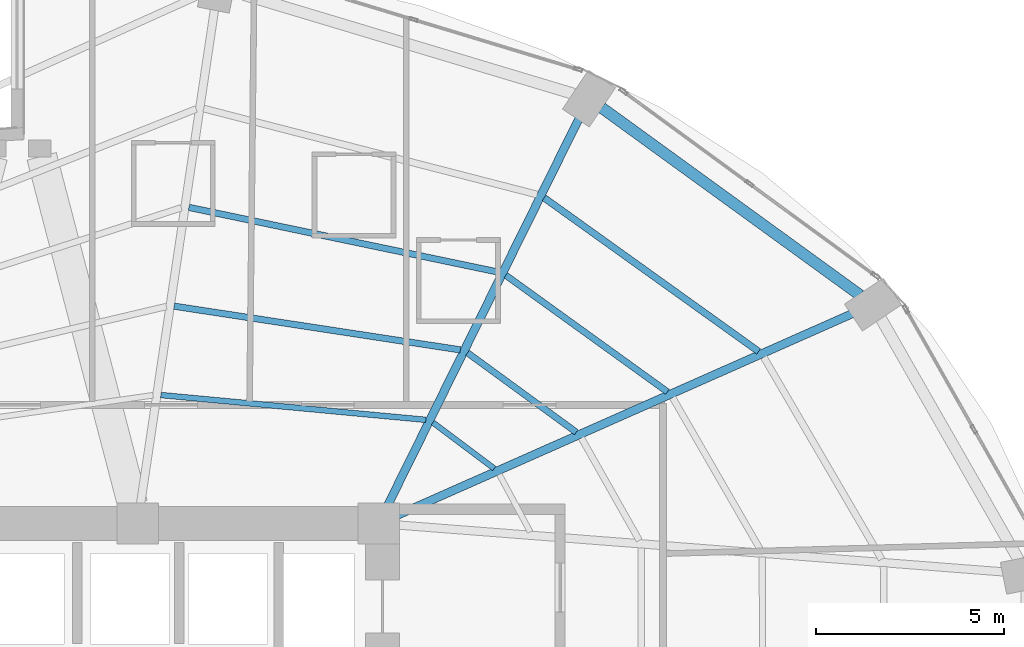
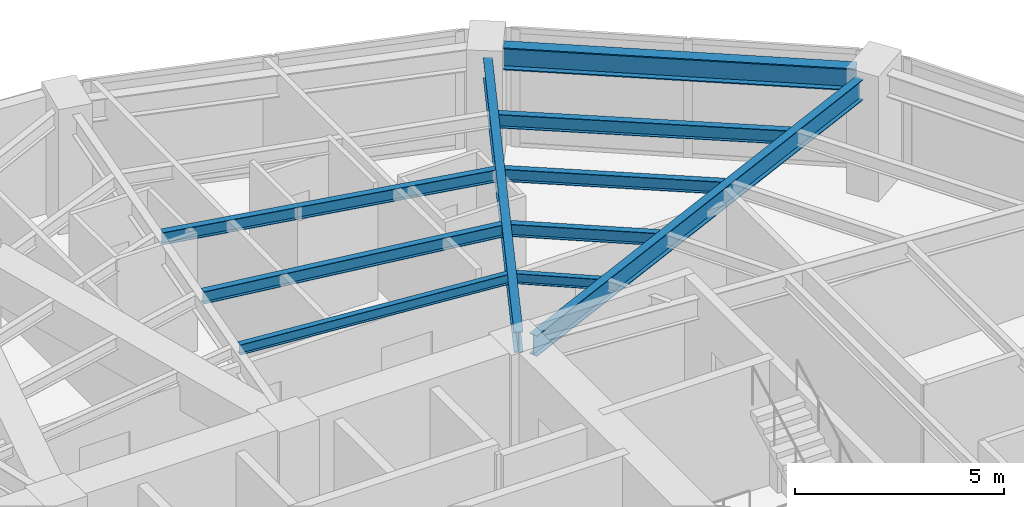
# One storey, part 16 of 25: 10 beams.
"""IFC4 building model written with IfcOpenShell, lengths in metres."""

from ifc_helpers import new_model, si_unit, direction, frame, origin, origin_2d, place, context, subcontext, project, spatial, i_section, extrude, material, material_profile, profile_set, type_object, element, save


model = new_model("IFC4")

# Units and contexts
model_context = context("Model", 3, precision=1e-05, world=origin(), true_north=direction((0.0, 1.0)))
body_context = subcontext(model_context, "Body", "Model", "MODEL_VIEW")
ifc_project = project(units=[si_unit("LENGTHUNIT", "METRE"), si_unit("AREAUNIT", "SQUARE_METRE"), si_unit("VOLUMEUNIT", "CUBIC_METRE"), si_unit("PLANEANGLEUNIT", "RADIAN"), si_unit("MASSUNIT", "GRAM", prefix="KILO")], contexts=[model_context])

# Site, building, storey
site_placement = place(None, origin())
site = spatial("IfcSite", under=ifc_project, at=site_placement, CompositionType="ELEMENT")
building_placement = place(site_placement, origin())
building = spatial("IfcBuilding", under=site, at=building_placement, Name="Lazwardi Medical Tower", CompositionType="ELEMENT")
storey_placement = place(building_placement, frame((0.0, 0.0, 28.847900390625)))
storey = spatial("IfcBuildingStorey", under=building, at=storey_placement, Name="L06", CompositionType="ELEMENT", Elevation=28.847900390625)

# Beams
ifc_material = material(Name="Steel S355", Category="steel")
ifc_material_profile_1 = material_profile(ifc_material, i_section(OverallWidth=0.300048828125, OverallDepth=0.64990234375, WebThickness=0.01611328125, FlangeThickness=0.031005859375, at=origin_2d()), Name="HEB 650")
ifc_profile_set_1 = profile_set([ifc_material_profile_1], Name="Steel S355")
beam_type_1 = type_object("IfcBeamType", Name="BM-RB-Z1", PredefinedType="BEAM", material=ifc_profile_set_1)
beam_1_placement = place(storey_placement, frame((58.3798828125, 41.660888671875, 3.10302734375), z_axis=(-0.809407079515, 0.587247971159, 0.0), x_axis=(-0.587247971159, -0.809407079515, 0.0)))
element("IfcBeam", 1, at=beam_1_placement, inside=storey, type_object=beam_type_1, Name="Ring beam RB-02 B06 L06", PredefinedType="BEAM", context=body_context, shape_type="SweptSolid", body=[
    extrude(i_section(OverallWidth=0.300048828125, OverallDepth=0.64990234375, WebThickness=0.01611328125, FlangeThickness=0.031005859375, at=origin_2d()), origin(), (0.0, 0.0, 1.0), 8.473876953125),
])
ifc_material_profile_2 = material_profile(ifc_material, i_section(OverallWidth=0.219970703125, OverallDepth=0.60009765625, WebThickness=0.011962890625, FlangeThickness=0.01904296875, at=origin_2d()), Name="IPE 600")
ifc_profile_set_2 = profile_set([ifc_material_profile_2], Name="Steel S355")
beam_type_2 = type_object("IfcBeamType", Name="BM-RG-W1", PredefinedType="BEAM", material=ifc_profile_set_2)
beam_2_placement = place(storey_placement, frame((58.189697265625, 41.17919921875, 3.128173828125), z_axis=(-0.914252189566, -0.405145571214, 0.0), x_axis=(0.405145571214, -0.914252189566, 0.0)))
element("IfcBeam", 2, at=beam_2_placement, inside=storey, type_object=beam_type_2, Name="Radial girder RG-02 R06 L06", PredefinedType="BEAM", context=body_context, shape_type="SweptSolid", body=[
    extrude(i_section(OverallWidth=0.219970703125, OverallDepth=0.60009765625, WebThickness=0.011962890625, FlangeThickness=0.01904296875, at=origin_2d()), origin(), (0.0, 0.0, 1.0), 13.235595703125),
])
beam_3_placement = place(storey_placement, frame((50.923828125, 46.364013671875, 3.128173828125), z_axis=(-0.443336723706, -0.896355146922, 0.0), x_axis=(0.896355146922, -0.443336723706, 0.0)))
element("IfcBeam", 3, at=beam_3_placement, inside=storey, type_object=beam_type_2, Name="Radial girder RG-02 R07 L06", PredefinedType="BEAM", context=body_context, shape_type="SweptSolid", body=[
    extrude(i_section(OverallWidth=0.219970703125, OverallDepth=0.60009765625, WebThickness=0.011962890625, FlangeThickness=0.01904296875, at=origin_2d()), origin(), (0.0, 0.0, 1.0), 11.4736328125),
])
ifc_material_profile_3 = material_profile(ifc_material, i_section(OverallWidth=0.179931640625, OverallDepth=0.39990234375, WebThickness=0.008544921875, FlangeThickness=0.013427734375, at=origin_2d()), Name="IPE 400")
ifc_profile_set_3 = profile_set([ifc_material_profile_3], Name="Steel S355")
beam_type_3 = type_object("IfcBeamType", Name="BM-SJ-01", PredefinedType="JOIST", material=ifc_profile_set_3)
beam_4_placement = place(storey_placement, frame((55.68408203125, 40.16796875, 3.22802734375), z_axis=(-0.812901036873, 0.582401840872, 0.0), x_axis=(-0.582401840872, -0.812901036873, 0.0)))
element("IfcBeam", 4, at=beam_4_placement, inside=storey, type_object=beam_type_3, Name="Secondary joist SJ-01 R1 B06 L06", PredefinedType="JOIST", context=body_context, shape_type="SweptSolid", body=[
    extrude(i_section(OverallWidth=0.179931640625, OverallDepth=0.39990234375, WebThickness=0.008544921875, FlangeThickness=0.013427734375, at=origin_2d()), origin(), (0.0, 0.0, 1.0), 7.002197265625),
])
ifc_material_profile_4 = material_profile(ifc_material, i_section(OverallWidth=0.169921875, OverallDepth=0.360107421875, WebThickness=0.008056640625, FlangeThickness=0.0126953125, at=origin_2d()), Name="IPE 360")
ifc_profile_set_4 = profile_set([ifc_material_profile_4], Name="Steel S355")
beam_type_4 = type_object("IfcBeamType", Name="BM-SJ-02", PredefinedType="JOIST", material=ifc_profile_set_4)
beam_5_placement = place(storey_placement, frame((53.26416015625, 39.095703125, 3.248046875), z_axis=(-0.811142764961, 0.584848198127, 0.0), x_axis=(-0.584848198127, -0.811142764961, 0.0)))
element("IfcBeam", 5, at=beam_5_placement, inside=storey, type_object=beam_type_4, Name="Secondary joist SJ-02 R2 B06 L06", PredefinedType="JOIST", context=body_context, shape_type="SweptSolid", body=[
    extrude(i_section(OverallWidth=0.169921875, OverallDepth=0.360107421875, WebThickness=0.008056640625, FlangeThickness=0.0126953125, at=origin_2d()), origin(), (0.0, 0.0, 1.0), 5.28857421875),
])
beam_6_placement = place(storey_placement, frame((48.786376953125, 42.271728515625, 3.248046875), z_axis=(-0.978809182847, 0.204774470026, 0.0), x_axis=(-0.204774470026, -0.978809182847, 0.0)))
element("IfcBeam", 6, at=beam_6_placement, inside=storey, type_object=beam_type_4, Name="Secondary joist SJ-02 R2 B07 L06", PredefinedType="JOIST", context=body_context, shape_type="SweptSolid", body=[
    extrude(i_section(OverallWidth=0.169921875, OverallDepth=0.360107421875, WebThickness=0.008056640625, FlangeThickness=0.0126953125, at=origin_2d()), origin(), (0.0, 0.0, 1.0), 8.40283203125),
])
beam_7_placement = place(storey_placement, frame((50.844482421875, 38.023681640625, 3.248046875), z_axis=(-0.80770129933, 0.589591902132, 0.0), x_axis=(-0.589591902132, -0.80770129933, 0.0)))
element("IfcBeam", 7, at=beam_7_placement, inside=storey, type_object=beam_type_4, Name="Secondary joist SJ-02 R3 B06 L06", PredefinedType="JOIST", context=body_context, shape_type="SweptSolid", body=[
    extrude(i_section(OverallWidth=0.169921875, OverallDepth=0.360107421875, WebThickness=0.008056640625, FlangeThickness=0.0126953125, at=origin_2d()), origin(), (0.0, 0.0, 1.0), 3.5751953125),
])
beam_8_placement = place(storey_placement, frame((47.76806640625, 40.209228515625, 3.248046875), z_axis=(-0.988535611365, 0.150987897074, 0.0), x_axis=(-0.150987897074, -0.988535611365, 0.0)))
element("IfcBeam", 8, at=beam_8_placement, inside=storey, type_object=beam_type_4, Name="Secondary joist SJ-02 R3 B07 L06", PredefinedType="JOIST", context=body_context, shape_type="SweptSolid", body=[
    extrude(i_section(OverallWidth=0.169921875, OverallDepth=0.360107421875, WebThickness=0.008056640625, FlangeThickness=0.0126953125, at=origin_2d()), origin(), (0.0, 0.0, 1.0), 7.68701171875),
])
ifc_material_profile_5 = material_profile(ifc_material, i_section(OverallWidth=0.14990234375, OverallDepth=0.300048828125, WebThickness=0.007080078125, FlangeThickness=0.0107421875, at=origin_2d()), Name="IPE 300")
ifc_profile_set_5 = profile_set([ifc_material_profile_5], Name="Steel S355")
beam_type_5 = type_object("IfcBeamType", Name="BM-SJ-03", PredefinedType="JOIST", material=ifc_profile_set_5)
beam_9_placement = place(storey_placement, frame((48.667236328125, 37.0595703125, 3.278076171875), z_axis=(-0.800115247939, 0.599846305328, 0.0), x_axis=(-0.599846305328, -0.800115247939, 0.0)))
element("IfcBeam", 9, at=beam_9_placement, inside=storey, type_object=beam_type_5, Name="Secondary joist SJ-03 R4 B06 L06", PredefinedType="JOIST", context=body_context, shape_type="SweptSolid", body=[
    extrude(i_section(OverallWidth=0.14990234375, OverallDepth=0.300048828125, WebThickness=0.007080078125, FlangeThickness=0.0107421875, at=origin_2d()), origin(), (0.0, 0.0, 1.0), 2.033447265625),
])
beam_10_placement = place(storey_placement, frame((46.851806640625, 38.35205078125, 3.278076171875), z_axis=(-0.995649263748, 0.093180167407, 0.0), x_axis=(-0.093180167407, -0.995649263748, 0.0)))
element("IfcBeam", 10, at=beam_10_placement, inside=storey, type_object=beam_type_5, Name="Secondary joist SJ-03 R4 B07 L06", PredefinedType="JOIST", context=body_context, shape_type="SweptSolid", body=[
    extrude(i_section(OverallWidth=0.14990234375, OverallDepth=0.300048828125, WebThickness=0.007080078125, FlangeThickness=0.0107421875, at=origin_2d()), origin(), (0.0, 0.0, 1.0), 7.06640625),
])

save(model, "model.ifc")
